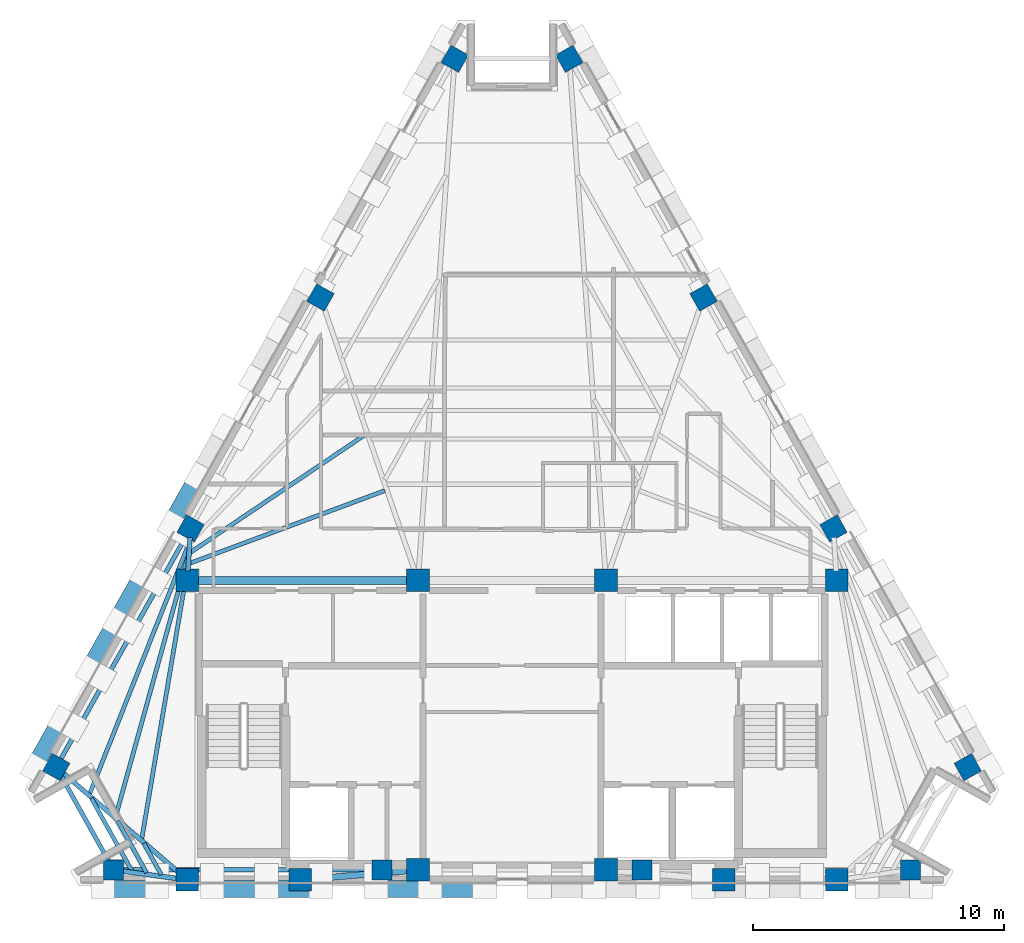
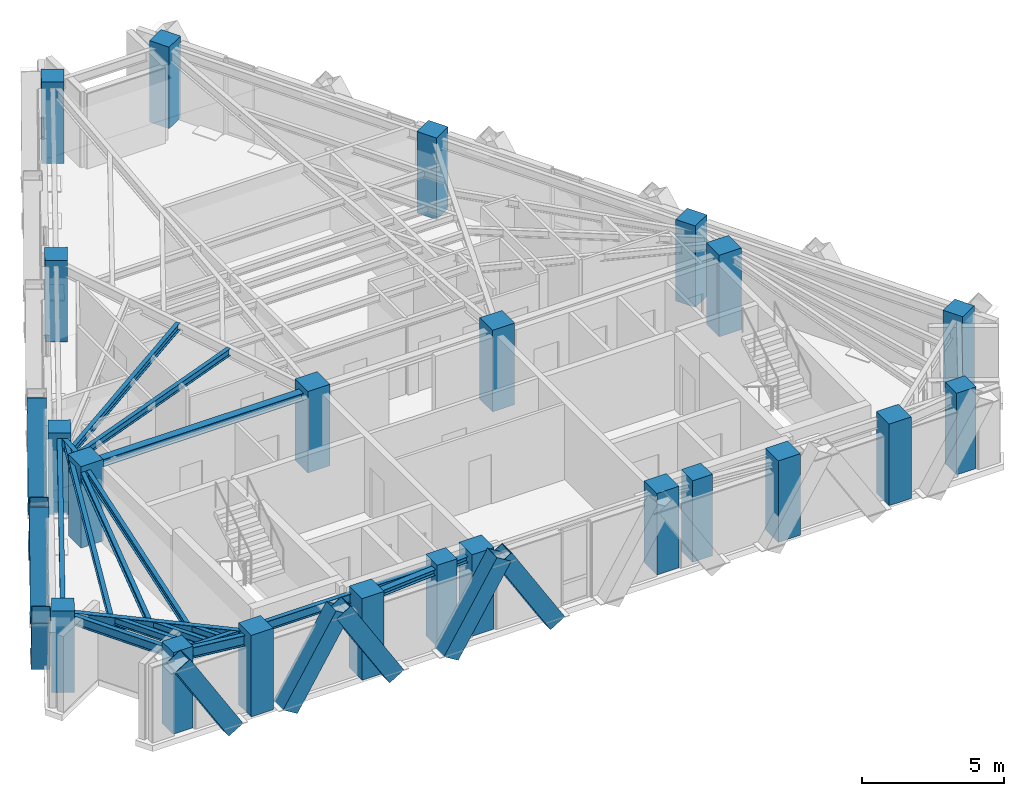
# One storey, part 1 of 9: 22 columns, 16 beams, 9 members.
"""IFC4 building model written with IfcOpenShell, lengths in metres."""

import ifcopenshell
import ifcopenshell.guid

model = None  # the IFC model being written
_history = None  # IfcOwnerHistory: only IFC2X3 demands one
_inside = {}  # id of a spatial element -> (the spatial element, [elements in it])
_under = {}  # id of a project, library or spatial element -> (it, [spatial elements below it])
_declared = {}  # id of a project -> (the project, [libraries it declares])
_typed = {}  # id of a type object -> (the type object, [elements of that type])
_made_of = {}  # id of a material, layer set ... -> (it, [elements and type objects made of it])


def new_model(schema):
    """Start an empty IFC model of exactly this schema.

    Asked for "IFC4X3", IfcOpenShell would pick the latest addendum, in which some entities
    have other attributes; the version numbers below select the first issue.
    IFC2X3 requires an IfcOwnerHistory on every rooted entity: one is made here for all.
    """
    global model, _history
    if schema == "IFC4X3":
        model = ifcopenshell.file(schema_version=(4, 3, 0, 0))
    else:
        model = ifcopenshell.file(schema=schema)
    _inside.clear()
    _under.clear()
    _declared.clear()
    _typed.clear()
    _made_of.clear()
    _history = None
    if model.schema == "IFC2X3":
        org = make("IfcOrganization", Name="unknown")
        user = make(
            "IfcPersonAndOrganization",
            ThePerson=make("IfcPerson", FamilyName="unknown"),
            TheOrganization=org,
        )
        app = make(
            "IfcApplication",
            ApplicationDeveloper=org,
            Version="unknown",
            ApplicationFullName="unknown",
            ApplicationIdentifier="unknown",
        )
        _history = make(
            "IfcOwnerHistory",
            OwningUser=user,
            OwningApplication=app,
            ChangeAction="ADDED",
            CreationDate=0,
        )
    return model


def make(cls, **values):
    """One entity of the class cls with the attributes given. An attribute that is None is left unset."""
    return model.create_entity(
        cls, **{name: value for name, value in values.items() if value is not None}
    )


def rooted(cls, **values):
    """An entity with a GlobalId (a new one), such as an element, a storey or a relation."""
    return make(cls, GlobalId=ifcopenshell.guid.new(), OwnerHistory=_history, **values)


def si_unit(unit_type, name, prefix=None):
    """IfcSIUnit, for example si_unit("LENGTHUNIT", "METRE", prefix="MILLI")."""
    return make("IfcSIUnit", UnitType=unit_type, Prefix=prefix, Name=name)


def assignment(units):
    """IfcUnitAssignment: the units of a project."""
    return None if units is None else make("IfcUnitAssignment", Units=units)


def point(xyz):
    """IfcCartesianPoint."""
    return None if xyz is None else make("IfcCartesianPoint", Coordinates=xyz)


def direction(xyz):
    """IfcDirection."""
    return None if xyz is None else make("IfcDirection", DirectionRatios=xyz)


def frame(location, z_axis=None, x_axis=None):
    """IfcAxis2Placement3D, a coordinate frame: its origin and axes. An axis left out is left unset."""
    return make(
        "IfcAxis2Placement3D",
        Location=point(location),
        Axis=direction(z_axis),
        RefDirection=direction(x_axis),
    )


def frame_2d(location, x_axis=None):
    """IfcAxis2Placement2D, a coordinate frame in the plane: its origin and x axis."""
    return make(
        "IfcAxis2Placement2D", Location=point(location), RefDirection=direction(x_axis)
    )


def origin():
    """The frame at (0, 0, 0) with its axes left unset."""
    return frame((0.0, 0.0, 0.0))


def origin_2d():
    """The frame at (0, 0) in the plane with its x axis left unset."""
    return frame_2d((0.0, 0.0))


def place(relative_to, where):
    """IfcLocalPlacement: puts the frame where relative to a parent placement (None: the world)."""
    return make(
        "IfcLocalPlacement", PlacementRelTo=relative_to, RelativePlacement=where
    )


def context(
    kind, dimensions, precision=None, world=None, true_north=None, identifier=None
):
    """IfcGeometricRepresentationContext, for example the 3D "Model" context."""
    return make(
        "IfcGeometricRepresentationContext",
        ContextIdentifier=identifier,
        ContextType=kind,
        CoordinateSpaceDimension=dimensions,
        Precision=precision,
        WorldCoordinateSystem=world,
        TrueNorth=true_north,
    )


def subcontext(parent, identifier, kind, view, scale=None):
    """IfcGeometricRepresentationSubContext, for example "Body" below "Model"."""
    return make(
        "IfcGeometricRepresentationSubContext",
        ContextIdentifier=identifier,
        ContextType=kind,
        ParentContext=parent,
        TargetScale=scale,
        TargetView=view,
    )


def project(units=None, contexts=None):
    """IfcProject with its units and contexts."""
    return rooted(
        "IfcProject",
        Name="project",
        RepresentationContexts=contexts,
        UnitsInContext=assignment(units),
    )


def spatial(cls, under=None, at=None, **own):
    """A site, building, storey or space (cls), placed at a placement, below another one or the project."""
    s = rooted(cls, ObjectPlacement=at, **own)
    if under is not None:
        _under.setdefault(under.id(), (under, []))[1].append(s)
    return s


def profile(cls, at=None, kind="AREA", **sizes):
    """A parametric profile (cls). Its sizes go by their IFC names, for example OverallWidth=200.0."""
    return make(cls, ProfileType=kind, Position=at, **sizes)


def rectangle(**sizes):
    """IfcRectangleProfileDef."""
    return profile("IfcRectangleProfileDef", **sizes)


def hollow_rectangle(**sizes):
    """IfcRectangleHollowProfileDef."""
    return profile("IfcRectangleHollowProfileDef", **sizes)


def i_section(**sizes):
    """IfcIShapeProfileDef."""
    return profile("IfcIShapeProfileDef", **sizes)


def extrude(swept, where, along, depth):
    """IfcExtrudedAreaSolid: the profile swept, set in the frame where, extruded along a direction by depth."""
    return make(
        "IfcExtrudedAreaSolid",
        SweptArea=swept,
        Position=where,
        ExtrudedDirection=direction(along),
        Depth=depth,
    )


def shape(context_of_items, identifier, shape_type, items):
    """IfcShapeRepresentation: the items that make up one representation, for example the "Body"."""
    return make(
        "IfcShapeRepresentation",
        ContextOfItems=context_of_items,
        RepresentationIdentifier=identifier,
        RepresentationType=shape_type,
        Items=items,
    )


def material(Name=None, Category=None):
    """IfcMaterial."""
    return make("IfcMaterial", Name=Name, Category=Category)


def material_profile(
    of_material, cross_section, Name=None, Category=None, Priority=None
):
    """IfcMaterialProfile: a cross section and its material."""
    return make(
        "IfcMaterialProfile",
        Name=Name,
        Material=of_material,
        Profile=cross_section,
        Priority=Priority,
        Category=Category,
    )


def profile_set(profiles, Name=None, composite=None):
    """IfcMaterialProfileSet."""
    return make(
        "IfcMaterialProfileSet",
        Name=Name,
        MaterialProfiles=profiles,
        CompositeProfile=composite,
    )


def made_of(thing, what):
    """Note that an element or type object is made of a material, layer set ...; save() writes the relation."""
    if what is not None:
        _made_of.setdefault(what.id(), (what, []))[1].append(thing)
    return thing


def type_object(cls, material=None, **own):
    """A type object (cls), such as IfcWallType, which elements share."""
    return made_of(rooted(cls, **own), material)


def element(
    cls,
    number,
    at=None,
    inside=None,
    cuts=None,
    type_object=None,
    material=None,
    context=None,
    identifier="Body",
    shape_type=None,
    held_by="IfcProductDefinitionShape",
    body=None,
    shapes=None,
    **own,
):
    """One element of the class cls, such as IfcWall. Its Tag is "e" and its number.

    at: its placement. inside: the storey or other place that contains it. cuts: it is an
    opening in that element (IfcRelVoidsElement). A single representation is given by context,
    identifier, shape_type and body (its items); several are given by shapes. held_by: the class
    of the entity that holds the representations. save() writes the other relations.
    """
    e = rooted(cls, Tag="e%d" % number, ObjectPlacement=at, **own)
    if body is not None:
        shapes = [shape(context, identifier, shape_type, body)]
    if shapes is not None:
        e.Representation = make(held_by, Representations=shapes)
    if inside is not None:
        _inside.setdefault(inside.id(), (inside, []))[1].append(e)
    if cuts is not None:
        rooted(
            "IfcRelVoidsElement", RelatingBuildingElement=cuts, RelatedOpeningElement=e
        )
    if type_object is not None:
        _typed.setdefault(type_object.id(), (type_object, []))[1].append(e)
    return made_of(e, material)


def aggregate(whole, parts):
    """IfcRelAggregates: a whole, such as a stair, and the parts it consists of."""
    return rooted("IfcRelAggregates", RelatingObject=whole, RelatedObjects=parts)


def save(model, path):
    """Write the relations noted so far, then the file.

    IfcRelAggregates (storeys below a building ...), IfcRelContainedInSpatialStructure (elements
    in a storey), IfcRelDefinesByType, IfcRelAssociatesMaterial and IfcRelDeclares: one each for
    every whole, place, type object, material and project.
    """
    for whole, parts in _under.values():
        aggregate(whole, parts)
    for where, things in _inside.values():
        rooted(
            "IfcRelContainedInSpatialStructure",
            RelatedElements=things,
            RelatingStructure=where,
        )
    for kind, things in _typed.values():
        rooted("IfcRelDefinesByType", RelatedObjects=things, RelatingType=kind)
    for what, things in _made_of.values():
        rooted("IfcRelAssociatesMaterial", RelatedObjects=things, RelatingMaterial=what)
    for by, libraries in _declared.values():
        rooted("IfcRelDeclares", RelatingContext=by, RelatedDefinitions=libraries)
    model.write(path)


model = new_model("IFC4")

# Units and contexts
model_context = context("Model", 3, precision=1e-05, world=origin(), true_north=direction((0.0, 1.0)))
body_context = subcontext(model_context, "Body", "Model", "MODEL_VIEW")
ifc_project = project(units=[si_unit("LENGTHUNIT", "METRE"), si_unit("AREAUNIT", "SQUARE_METRE"), si_unit("VOLUMEUNIT", "CUBIC_METRE"), si_unit("PLANEANGLEUNIT", "RADIAN"), si_unit("MASSUNIT", "GRAM", prefix="KILO")], contexts=[model_context])

# Site, building, storey
site_placement = place(None, origin())
site = spatial("IfcSite", under=ifc_project, at=site_placement, CompositionType="ELEMENT")
building_placement = place(site_placement, origin())
building = spatial("IfcBuilding", under=site, at=building_placement, Name="Quenlor Broadcast Tower", CompositionType="ELEMENT")
storey_placement = place(building_placement, frame((0.0, 0.0, 246.39990234375)))
storey = spatial("IfcBuildingStorey", under=building, at=storey_placement, Name="L68", CompositionType="ELEMENT", Elevation=246.39990234375)

# Columns
ifc_material_1 = material(Name="Concrete C50/60", Category="concrete")
ifc_material_profile_1 = material_profile(ifc_material_1, rectangle(XDim=0.89990234375, YDim=0.89990234375, at=origin_2d()))
ifc_profile_set_1 = profile_set([ifc_material_profile_1], Name="Concrete C50/60 RC900x900")
column_type_1 = type_object("IfcColumnType", Name="Core Corner Column Upper Concrete C50/60 900", PredefinedType="COLUMN", material=ifc_profile_set_1)
for number, where, z_axis, x_axis, name in (
    (1, (-12.949951171875, -16.75, 0.0), (0.0, 0.0, 1.0), (1.0, 0.0, 0.0), "L68 Core Column CC1"),
    (2, (-8.449951171875, -16.75, 0.0), (0.0, 0.0, 1.0), (1.0, 0.0, 0.0), "L68 Core Column CC2"),
    (3, (-3.75, -16.35009765625, 0.0), (0.0, 0.0, 1.0), (1.0, 0.0, 0.0), "L68 Core Column CC3"),
    (4, (3.75, -16.35009765625, 0.0), (0.0, 0.0, 1.0), (1.0, 0.0, 0.0), "L68 Core Column CC4"),
    (5, (8.449951171875, -16.75, 0.0), (0.0, 0.0, 1.0), (1.0, 0.0, 0.0), "L68 Core Column CC5"),
    (6, (12.949951171875, -16.75, 0.0), (0.0, 0.0, 1.0), (1.0, 0.0, 0.0), "L68 Core Column CC6"),
    (7, (-12.949951171875, -4.800048828125, 0.0), (0.0, 0.0, 1.0), (1.0, 0.0, 0.0), "L68 Core Column CC7"),
    (8, (-3.75, -4.800048828125, 0.0), (0.0, 0.0, 1.0), (1.0, 0.0, 0.0), "L68 Core Column CC8"),
    (9, (3.75, -4.800048828125, 0.0), (0.0, 0.0, 1.0), (1.0, 0.0, 0.0), "L68 Core Column CC9"),
    (10, (12.949951171875, -4.800048828125, 0.0), (0.0, 0.0, 1.0), (1.0, 0.0, 0.0), "L68 Core Column CC10"),
):
    element("IfcColumn", number, at=place(storey_placement, frame(where, z_axis=z_axis, x_axis=x_axis)), inside=storey, type_object=column_type_1, Name=name, PredefinedType="COLUMN", context=body_context, shape_type="SweptSolid", body=[
        extrude(rectangle(XDim=0.89990234375, YDim=0.89990234375, at=origin_2d()), origin(), (0.0, 0.0, 1.0), 3.5),
    ])
ifc_material_2 = material(Name="Concrete C50/60", Category="concrete")
ifc_material_profile_2 = material_profile(ifc_material_2, rectangle(XDim=0.800048828125, YDim=0.800048828125, at=origin_2d()))
ifc_profile_set_2 = profile_set([ifc_material_profile_2], Name="Concrete C50/60 RC800x800")
column_type_2 = type_object("IfcColumnType", Name="Tower Perimeter Column Z5 Concrete C50/60 800", PredefinedType="COLUMN", material=ifc_profile_set_2)
for number, where, z_axis, x_axis, name in (
    (11, (-15.897705078125, -16.35009765625, 0.0), (0.0, 0.0, 1.0), (0.0, 1.0, 0.0), "L68 Perimeter Column S1"),
    (12, (-5.18408203125, -16.35009765625, 0.0), (0.0, 0.0, 1.0), (0.0, 1.0, 0.0), "L68 Perimeter Column S2"),
    (13, (5.18408203125, -16.35009765625, 0.0), (0.0, 0.0, 1.0), (0.0, 1.0, 0.0), "L68 Perimeter Column S3"),
    (14, (15.897705078125, -16.35009765625, 0.0), (0.0, 0.0, 1.0), (0.0, 1.0, 0.0), "L68 Perimeter Column S4"),
    (15, (18.182373046875, -12.25, 0.0), (0.0, 0.0, 1.0), (0.871575139605, 0.490261946333, 0.0), "L68 Perimeter Column NE1"),
    (16, (12.825439453125, -2.726806640625, 0.0), (0.0, 0.0, 1.0), (0.871575139605, 0.490261946333, 0.0), "L68 Perimeter Column NE2"),
    (17, (7.6416015625, 6.4892578125, 0.0), (0.0, 0.0, 1.0), (0.871575139605, 0.490261946333, 0.0), "L68 Perimeter Column NE3"),
    (18, (2.28466796875, 16.012451171875, 0.0), (0.0, 0.0, 1.0), (0.871575139605, 0.490261946333, 0.0), "L68 Perimeter Column NE4"),
    (19, (-2.28466796875, 16.012451171875, 0.0), (0.0, 0.0, 1.0), (-0.871575139605, 0.490261946333, 0.0), "L68 Perimeter Column NW1"),
    (20, (-7.6416015625, 6.4892578125, 0.0), (0.0, 0.0, 1.0), (-0.871575139605, 0.490261946333, 0.0), "L68 Perimeter Column NW2"),
    (21, (-12.825439453125, -2.726806640625, 0.0), (0.0, 0.0, 1.0), (-0.871575139605, 0.490261946333, 0.0), "L68 Perimeter Column NW3"),
    (22, (-18.182373046875, -12.25, 0.0), (0.0, 0.0, 1.0), (-0.871575139605, 0.490261946333, 0.0), "L68 Perimeter Column NW4"),
):
    element("IfcColumn", number, at=place(storey_placement, frame(where, z_axis=z_axis, x_axis=x_axis)), inside=storey, type_object=column_type_2, Name=name, PredefinedType="COLUMN", context=body_context, shape_type="SweptSolid", body=[
        extrude(rectangle(XDim=0.800048828125, YDim=0.800048828125, at=origin_2d()), origin(), (0.0, 0.0, 1.0), 3.5),
    ])

# Beams
ifc_material_3 = material(Name="Steel S355", Category="steel")
ifc_material_profile_3 = material_profile(ifc_material_3, i_section(OverallWidth=0.25390625, OverallDepth=0.25390625, WebThickness=0.008544921875, FlangeThickness=0.01416015625, FilletRadius=0.013916015625, at=origin_2d()))
ifc_profile_set_3 = profile_set([ifc_material_profile_3], Name="Steel S355 250UC72.9")
beam_type_1 = type_object("IfcBeamType", Name="Core Opening Lintel Beam Steel S355 250UC72.9", PredefinedType="LINTEL", material=ifc_profile_set_3)
beam_1_placement = place(storey_placement, frame((-8.09130859375, -16.719482421875, 3.123291015625), z_axis=(0.996399763903, 0.084779186679, 0.0), x_axis=(-0.084779186679, 0.996399763903, 0.0)))
element("IfcBeam", 23, at=beam_1_placement, inside=storey, type_object=beam_type_1, Name="L68 Core Opening Lintel Beam 4", PredefinedType="LINTEL", context=body_context, shape_type="SweptSolid", body=[
    extrude(i_section(OverallWidth=0.25390625, OverallDepth=0.25390625, WebThickness=0.008544921875, FlangeThickness=0.01416015625, FilletRadius=0.013916015625, at=origin_2d()), origin(), (0.0, 0.0, 1.0), 3.9970703125),
])
ifc_material_4 = material(Name="Steel S355", Category="steel")
ifc_material_profile_4 = material_profile(ifc_material_4, i_section(OverallWidth=0.306884765625, OverallDepth=0.314697265625, WebThickness=0.011962890625, FlangeThickness=0.018798828125, FilletRadius=0.0166015625, at=origin_2d()))
ifc_profile_set_4 = profile_set([ifc_material_profile_4], Name="Steel S355 310UC118")
beam_type_2 = type_object("IfcBeamType", Name="Core Tie Beam Steel S355 310UC118", PredefinedType="BEAM", material=ifc_profile_set_4)
beam_2_placement = place(storey_placement, frame((-12.590087890625, -4.800048828125, 3.0927734375), z_axis=(1.0, 0.0, 0.0), x_axis=(0.0, 1.0, 0.0)))
element("IfcBeam", 24, at=beam_2_placement, inside=storey, type_object=beam_type_2, Name="L68 Core Tie Beam 1", PredefinedType="BEAM", context=body_context, shape_type="SweptSolid", body=[
    extrude(i_section(OverallWidth=0.306884765625, OverallDepth=0.314697265625, WebThickness=0.011962890625, FlangeThickness=0.018798828125, FilletRadius=0.0166015625, at=origin_2d()), origin(), (0.0, 0.0, 1.0), 8.47998046875),
])

# Members
ifc_material_5 = material(Name="Steel S355", Category="steel")
ifc_material_profile_5 = material_profile(ifc_material_5, hollow_rectangle(XDim=0.679931640625, YDim=0.679931640625, WallThickness=0.02001953125, at=origin_2d()))
ifc_profile_set_5 = profile_set([ifc_material_profile_5], Name="Steel S355 RHS680x680x20")
member_type = type_object("IfcMemberType", Name="Perimeter Diagonal Lattice Brace Z5-Crown Steel S355 RHS680x20", PredefinedType="BRACE", material=ifc_profile_set_5)
for number, where, z_axis, x_axis, name in (
    (25, (-1.101806640625, -17.1201171875, -0.119873046875), (-0.523616565236, 0.0, 0.85195404372), (0.0, -1.0, 0.0), "L68 Perimeter Diamond Lattice S-C3S"),
    (26, (-7.6337890625, -17.1201171875, -0.119873046875), (-0.523616565236, 0.0, 0.85195404372), (0.0, -1.0, 0.0), "L68 Perimeter Diamond Lattice S-C4S"),
):
    element("IfcMember", number, at=place(storey_placement, frame(where, z_axis=z_axis, x_axis=x_axis)), inside=storey, type_object=member_type, Name=name, PredefinedType="BRACE", context=body_context, shape_type="SweptSolid", body=[
        extrude(hollow_rectangle(XDim=0.679931640625, YDim=0.679931640625, WallThickness=0.02001953125, at=origin_2d()), origin(), (0.0, 0.0, 1.0), 4.108154296875),
    ])
member_1_placement = place(storey_placement, frame((-5.430419921875, -17.1201171875, -0.119873046875), z_axis=(0.5236596973, 0.0, 0.851927532965), x_axis=(0.0, 1.0, 0.0)))
element("IfcMember", 27, at=member_1_placement, inside=storey, type_object=member_type, Name="L68 Perimeter Diamond Lattice S-C4B", PredefinedType="BRACE", context=body_context, shape_type="SweptSolid", body=[
    extrude(hollow_rectangle(XDim=0.679931640625, YDim=0.679931640625, WallThickness=0.02001953125, at=origin_2d()), origin(), (0.0, 0.0, 1.0), 4.1083984375),
])
member_2_placement = place(storey_placement, frame((-14.165771484375, -17.1201171875, -0.119873046875), z_axis=(-0.523616565236, 0.0, 0.85195404372), x_axis=(0.0, -1.0, 0.0)))
element("IfcMember", 28, at=member_2_placement, inside=storey, type_object=member_type, Name="L68 Perimeter Diamond Lattice S-C5S", PredefinedType="BRACE", context=body_context, shape_type="SweptSolid", body=[
    extrude(hollow_rectangle(XDim=0.679931640625, YDim=0.679931640625, WallThickness=0.02001953125, at=origin_2d()), origin(), (0.0, 0.0, 1.0), 4.108154296875),
])
member_3_placement = place(storey_placement, frame((-11.96240234375, -17.1201171875, -0.119873046875), z_axis=(0.5236596973, 0.0, 0.851927532965), x_axis=(0.0, 1.0, 0.0)))
element("IfcMember", 29, at=member_3_placement, inside=storey, type_object=member_type, Name="L68 Perimeter Diamond Lattice S-C5B", PredefinedType="BRACE", context=body_context, shape_type="SweptSolid", body=[
    extrude(hollow_rectangle(XDim=0.679931640625, YDim=0.679931640625, WallThickness=0.02001953125, at=origin_2d()), origin(), (0.0, 0.0, 1.0), 4.1083984375),
])
for number, where, z_axis, x_axis, name in (
    (30, (-16.892578125, -8.38623046875, -0.119873046875), (0.260618804175, 0.463276364439, 0.847025884529), (-0.8715547569, 0.490298180422, 0.0), "L68 Perimeter Diamond Lattice NW-C1S"),
    (31, (-17.99560546875, -10.34716796875, -0.119873046875), (-0.260563732169, -0.463283497491, 0.847038926161), (0.871602253711, -0.49021374045, 0.0), "L68 Perimeter Diamond Lattice NW-C1B"),
    (32, (-13.622802734375, -2.573486328125, -0.119873046875), (0.260618804175, 0.463276364439, 0.847025884529), (-0.8715547569, 0.490298180422, 0.0), "L68 Perimeter Diamond Lattice NW-C2S"),
    (33, (-14.725830078125, -4.534423828125, -0.119873046875), (-0.260563732169, -0.463283497491, 0.847038926161), (0.871602253711, -0.49021374045, 0.0), "L68 Perimeter Diamond Lattice NW-C2B"),
):
    element("IfcMember", number, at=place(storey_placement, frame(where, z_axis=z_axis, x_axis=x_axis)), inside=storey, type_object=member_type, Name=name, PredefinedType="BRACE", context=body_context, shape_type="SweptSolid", body=[
        extrude(hollow_rectangle(XDim=0.679931640625, YDim=0.679931640625, WallThickness=0.02001953125, at=origin_2d()), origin(), (0.0, 0.0, 1.0), 4.132080078125),
    ])

# Beams
ifc_material_6 = material(Name="Steel S355", Category="steel")
ifc_material_profile_6 = material_profile(ifc_material_6, i_section(OverallWidth=0.177978515625, OverallDepth=0.406494140625, WebThickness=0.0078125, FlangeThickness=0.0126953125, FilletRadius=0.011474609375, at=origin_2d()))
ifc_profile_set_6 = profile_set([ifc_material_profile_6], Name="Steel S355 410UB59.7")
beam_type_3 = type_object("IfcBeamType", Name="Perimeter Spandrel Beam Z5 Steel S355 410UB59.7", PredefinedType="SPANDREL", material=ifc_profile_set_6)
beam_3_placement = place(storey_placement, frame((-15.53759765625, -16.35009765625, 3.046875), z_axis=(1.0, 0.0, 0.0), x_axis=(0.0, 1.0, 0.0)))
element("IfcBeam", 34, at=beam_3_placement, inside=storey, type_object=beam_type_3, Name="L68 Spandrel Beam S1-S2", PredefinedType="SPANDREL", context=body_context, shape_type="SweptSolid", body=[
    extrude(i_section(OverallWidth=0.177978515625, OverallDepth=0.406494140625, WebThickness=0.0078125, FlangeThickness=0.0126953125, FilletRadius=0.011474609375, at=origin_2d()), origin(), (0.0, 0.0, 1.0), 9.99365234375),
])
beam_4_placement = place(storey_placement, frame((-13.001953125, -3.04052734375, 3.046875), z_axis=(-0.490274867878, -0.871567871096, 0.0), x_axis=(0.871567871096, -0.490274867878, 0.0)))
element("IfcBeam", 35, at=beam_4_placement, inside=storey, type_object=beam_type_3, Name="L68 Spandrel Beam NW3-NW4", PredefinedType="SPANDREL", context=body_context, shape_type="SweptSolid", body=[
    extrude(i_section(OverallWidth=0.177978515625, OverallDepth=0.406494140625, WebThickness=0.0078125, FlangeThickness=0.0126953125, FilletRadius=0.011474609375, at=origin_2d()), origin(), (0.0, 0.0, 1.0), 10.206298828125),
])
beam_5_placement = place(storey_placement, frame((-18.007080078125, -12.564453125, 3.046875), z_axis=(0.486800618374, -0.873513112638, 0.0), x_axis=(0.873513112638, 0.486800618374, 0.0)))
element("IfcBeam", 36, at=beam_5_placement, inside=storey, type_object=beam_type_3, Name="L68 Spandrel Beam NW4-S1", PredefinedType="SPANDREL", context=body_context, shape_type="SweptSolid", body=[
    extrude(i_section(OverallWidth=0.177978515625, OverallDepth=0.406494140625, WebThickness=0.0078125, FlangeThickness=0.0126953125, FilletRadius=0.011474609375, at=origin_2d()), origin(), (0.0, 0.0, 1.0), 3.9736328125),
])
ifc_material_7 = material(Name="Steel S355", Category="steel")
ifc_material_profile_7 = material_profile(ifc_material_7, i_section(OverallWidth=0.166015625, OverallDepth=0.30712890625, WebThickness=0.006591796875, FlangeThickness=0.01171875, FilletRadius=0.011474609375, at=origin_2d()))
ifc_profile_set_7 = profile_set([ifc_material_profile_7], Name="Steel S355 310UB46.2")
beam_type_4 = type_object("IfcBeamType", Name="Tower Composite Joist Z4-Z5 Steel S355 310UB46.2", PredefinedType="JOIST", material=ifc_profile_set_7)
beam_6_placement = place(storey_placement, frame((-12.835205078125, -4.108642578125, 3.096435546875), z_axis=(0.937062080226, 0.349162795559, 0.0), x_axis=(-0.349162795559, 0.937062080226, 0.0)))
element("IfcBeam", 37, at=beam_6_placement, inside=storey, type_object=beam_type_4, Name="L68 Secondary Composite Joist 7", PredefinedType="JOIST", context=body_context, shape_type="SweptSolid", body=[
    extrude(i_section(OverallWidth=0.166015625, OverallDepth=0.30712890625, WebThickness=0.006591796875, FlangeThickness=0.01171875, FilletRadius=0.011474609375, at=origin_2d()), origin(), (0.0, 0.0, 1.0), 8.286376953125),
])
beam_7_placement = place(storey_placement, frame((-12.81884765625, -3.67724609375, 3.096435546875), z_axis=(0.829286301475, 0.558823970661, 0.0), x_axis=(-0.558823970661, 0.829286301475, 0.0)))
element("IfcBeam", 38, at=beam_7_placement, inside=storey, type_object=beam_type_4, Name="L68 Secondary Composite Joist 8", PredefinedType="JOIST", context=body_context, shape_type="SweptSolid", body=[
    extrude(i_section(OverallWidth=0.166015625, OverallDepth=0.30712890625, WebThickness=0.006591796875, FlangeThickness=0.01171875, FilletRadius=0.011474609375, at=origin_2d()), origin(), (0.0, 0.0, 1.0), 8.415771484375),
])
beam_8_placement = place(storey_placement, frame((-14.76806640625, -15.09619140625, 3.096435546875), z_axis=(0.166553293246, 0.986032454085, 0.0), x_axis=(-0.986032454085, 0.166553293246, 0.0)))
element("IfcBeam", 39, at=beam_8_placement, inside=storey, type_object=beam_type_4, Name="L68 Secondary Composite Joist 13", PredefinedType="JOIST", context=body_context, shape_type="SweptSolid", body=[
    extrude(i_section(OverallWidth=0.166015625, OverallDepth=0.30712890625, WebThickness=0.006591796875, FlangeThickness=0.01171875, FilletRadius=0.011474609375, at=origin_2d()), origin(), (0.0, 0.0, 1.0), 11.097900390625),
])
beam_9_placement = place(storey_placement, frame((-15.806396484375, -14.197998046875, 3.096435546875), z_axis=(0.26744552871, 0.96357298072, 0.0), x_axis=(-0.96357298072, 0.26744552871, 0.0)))
element("IfcBeam", 40, at=beam_9_placement, inside=storey, type_object=beam_type_4, Name="L68 Secondary Composite Joist 14", PredefinedType="JOIST", context=body_context, shape_type="SweptSolid", body=[
    extrude(i_section(OverallWidth=0.166015625, OverallDepth=0.30712890625, WebThickness=0.006591796875, FlangeThickness=0.01171875, FilletRadius=0.011474609375, at=origin_2d()), origin(), (0.0, 0.0, 1.0), 10.856689453125),
])
beam_10_placement = place(storey_placement, frame((-16.8447265625, -13.300537109375, 3.096435546875), z_axis=(0.368680258049, 0.929556274426, 0.0), x_axis=(-0.929556274426, 0.368680258049, 0.0)))
element("IfcBeam", 41, at=beam_10_placement, inside=storey, type_object=beam_type_4, Name="L68 Secondary Composite Joist 15", PredefinedType="JOIST", context=body_context, shape_type="SweptSolid", body=[
    extrude(i_section(OverallWidth=0.166015625, OverallDepth=0.30712890625, WebThickness=0.006591796875, FlangeThickness=0.01171875, FilletRadius=0.011474609375, at=origin_2d()), origin(), (0.0, 0.0, 1.0), 10.737548828125),
])
beam_11_placement = place(storey_placement, frame((-13.9912109375, -16.544189453125, 3.096435546875), z_axis=(-0.486624304452, 0.873611347406, 0.0), x_axis=(-0.873611347406, -0.486624304452, 0.0)))
element("IfcBeam", 42, at=beam_11_placement, inside=storey, type_object=beam_type_4, Name="L68 Secondary Composite Joist 19", PredefinedType="JOIST", context=body_context, shape_type="SweptSolid", body=[
    extrude(i_section(OverallWidth=0.166015625, OverallDepth=0.30712890625, WebThickness=0.006591796875, FlangeThickness=0.01171875, FilletRadius=0.011474609375, at=origin_2d()), origin(), (0.0, 0.0, 1.0), 1.435791015625),
])
beam_12_placement = place(storey_placement, frame((-14.58056640625, -16.464111328125, 3.096435546875), z_axis=(-0.486820963037, 0.873501774439, 0.0), x_axis=(-0.873501774439, -0.486820963037, 0.0)))
element("IfcBeam", 43, at=beam_12_placement, inside=storey, type_object=beam_type_4, Name="L68 Secondary Composite Joist 20", PredefinedType="JOIST", context=body_context, shape_type="SweptSolid", body=[
    extrude(i_section(OverallWidth=0.166015625, OverallDepth=0.30712890625, WebThickness=0.006591796875, FlangeThickness=0.01171875, FilletRadius=0.011474609375, at=origin_2d()), origin(), (0.0, 0.0, 1.0), 2.37451171875),
])
beam_13_placement = place(storey_placement, frame((-15.170166015625, -16.384033203125, 3.096435546875), z_axis=(-0.486762404011, 0.873534408046, 0.0), x_axis=(-0.873534408046, -0.486762404011, 0.0)))
element("IfcBeam", 44, at=beam_13_placement, inside=storey, type_object=beam_type_4, Name="L68 Secondary Composite Joist 21", PredefinedType="JOIST", context=body_context, shape_type="SweptSolid", body=[
    extrude(i_section(OverallWidth=0.166015625, OverallDepth=0.30712890625, WebThickness=0.006591796875, FlangeThickness=0.01171875, FilletRadius=0.011474609375, at=origin_2d()), origin(), (0.0, 0.0, 1.0), 3.313232421875),
])
ifc_material_8 = material(Name="Steel S355", Category="steel")
ifc_material_profile_8 = material_profile(ifc_material_8, i_section(OverallWidth=0.19091796875, OverallDepth=0.46044921875, WebThickness=0.010009765625, FlangeThickness=0.01611328125, FilletRadius=0.011474609375, at=origin_2d()))
ifc_profile_set_8 = profile_set([ifc_material_profile_8], Name="Steel S355 460UB82.1")
beam_type_5 = type_object("IfcBeamType", Name="Tower Primary Floor Beam Z5 Steel S355 460UB82.1", PredefinedType="BEAM", material=ifc_profile_set_8)
beam_14_placement = place(storey_placement, frame((-15.541015625, -16.3984375, 3.02001953125), z_axis=(0.990917044125, -0.134474576267, 0.0), x_axis=(0.134474576267, 0.990917044125, 0.0)))
element("IfcBeam", 45, at=beam_14_placement, inside=storey, type_object=beam_type_5, Name="L68 Primary Radial Beam S1", PredefinedType="BEAM", context=body_context, shape_type="SweptSolid", body=[
    extrude(i_section(OverallWidth=0.19091796875, OverallDepth=0.46044921875, WebThickness=0.010009765625, FlangeThickness=0.01611328125, FilletRadius=0.011474609375, at=origin_2d()), origin(), (0.0, 0.0, 1.0), 2.23486328125),
])
beam_15_placement = place(storey_placement, frame((-12.84716796875, -3.086181640625, 3.02001953125), z_axis=(-0.059899569349, -0.998204408722, 0.0), x_axis=(0.998204408722, -0.059899569349, 0.0)))
element("IfcBeam", 46, at=beam_15_placement, inside=storey, type_object=beam_type_5, Name="L68 Primary Radial Beam NW3", PredefinedType="BEAM", context=body_context, shape_type="SweptSolid", body=[
    extrude(i_section(OverallWidth=0.19091796875, OverallDepth=0.46044921875, WebThickness=0.010009765625, FlangeThickness=0.01611328125, FilletRadius=0.011474609375, at=origin_2d()), origin(), (0.0, 0.0, 1.0), 1.3369140625),
])
beam_16_placement = place(storey_placement, frame((-17.909423828125, -12.484619140625, 3.02001953125), z_axis=(0.75817030855, -0.652056579779, 0.0), x_axis=(0.652056579779, 0.75817030855, 0.0)))
element("IfcBeam", 47, at=beam_16_placement, inside=storey, type_object=beam_type_5, Name="L68 Primary Radial Beam NW4", PredefinedType="BEAM", context=body_context, shape_type="SweptSolid", body=[
    extrude(i_section(OverallWidth=0.19091796875, OverallDepth=0.46044921875, WebThickness=0.010009765625, FlangeThickness=0.01611328125, FilletRadius=0.011474609375, at=origin_2d()), origin(), (0.0, 0.0, 1.0), 6.161376953125),
])

save(model, "model.ifc")
